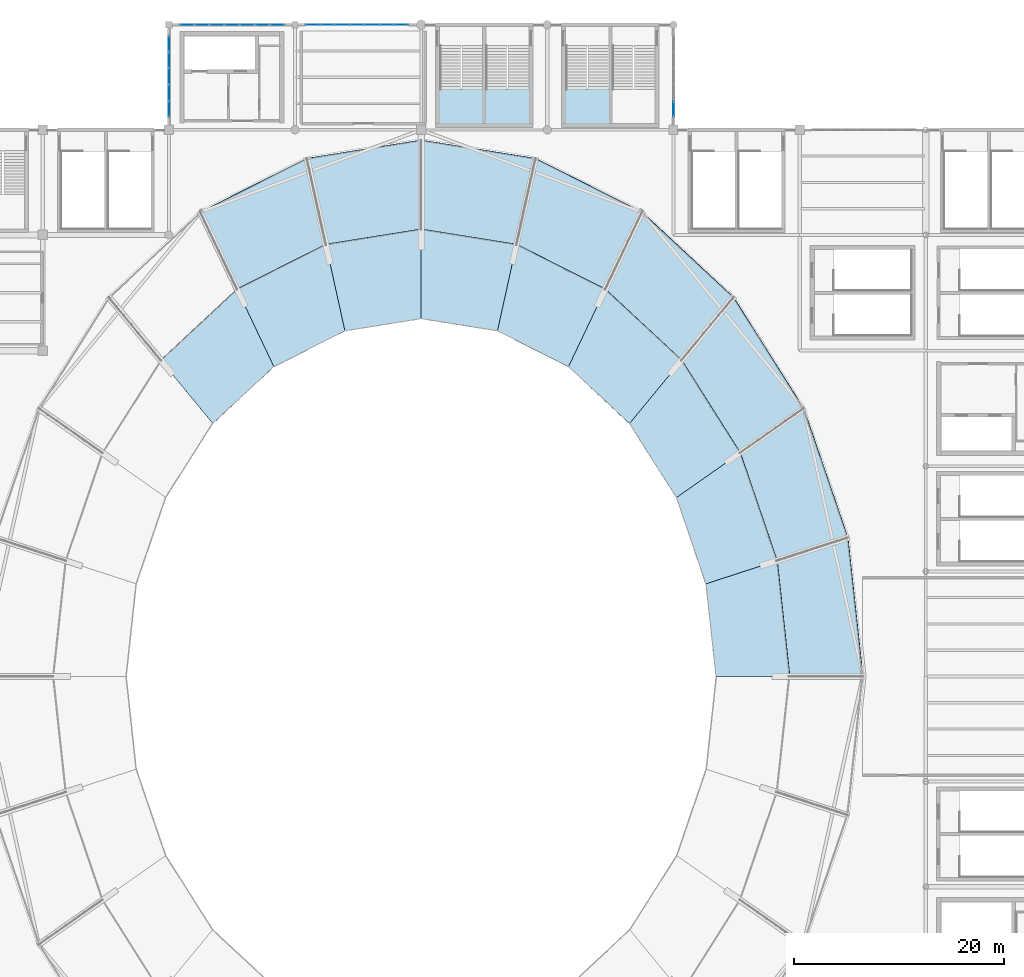
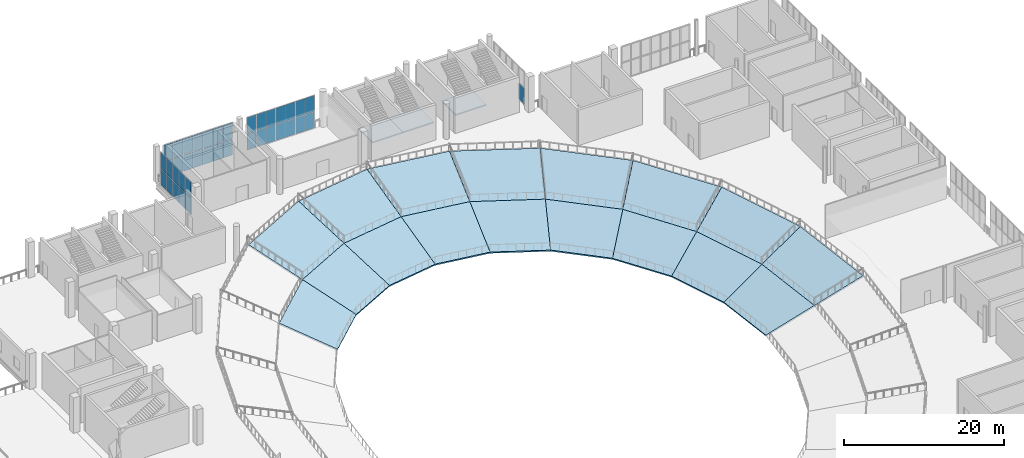
# One storey, part 46 of 74: 39 plates, 20 slabs, 7 elements without a shape of their own.
"""IFC4 building model written with IfcOpenShell, lengths in metres."""

from ifc_helpers import new_model, si_unit, direction, frame, origin, origin_2d, place, context, subcontext, project, spatial, polyline, rectangle, outline, extrude, material, layer, layer_set, type_object, element, aggregate, save


model = new_model("IFC4")

# Units and contexts
model_context = context("Model", 3, precision=1e-05, world=origin(), true_north=direction((0.0, 1.0)))
body_context = subcontext(model_context, "Body", "Model", "MODEL_VIEW")
ifc_project = project(units=[si_unit("LENGTHUNIT", "METRE"), si_unit("AREAUNIT", "SQUARE_METRE"), si_unit("VOLUMEUNIT", "CUBIC_METRE"), si_unit("PLANEANGLEUNIT", "RADIAN"), si_unit("MASSUNIT", "GRAM", prefix="KILO")], contexts=[model_context])

# Site, building, storey
site_placement = place(None, origin())
site = spatial("IfcSite", under=ifc_project, at=site_placement, CompositionType="ELEMENT")
building_placement = place(site_placement, origin())
building = spatial("IfcBuilding", under=site, at=building_placement, Name="Brinegate Civic Arena", CompositionType="ELEMENT")
storey_placement = place(building_placement, frame((0.0, 0.0, 19.199951171875)))
storey = spatial("IfcBuildingStorey", under=building, at=storey_placement, Name="L04", CompositionType="ELEMENT", Elevation=19.199951171875)

# Curtain wall, plates
ifc_material_1 = material(Name="Marine grade aluminium", Category="aluminium")
ifc_layer_1 = layer(ifc_material_1, 0.235107421875, Name="Marine grade aluminium")
ifc_layer_set_1 = layer_set([ifc_layer_1], Name="Marine grade aluminium")
curtain_wall_type = type_object("IfcCurtainWallType", Name="CW-PORTAL-NORTH-01", PredefinedType="USERDEFINED", material=ifc_layer_set_1)
curtain_wall_1_placement = place(storey_placement, origin())
curtain_wall_1 = element("IfcCurtainWall", 1, at=curtain_wall_1_placement, inside=storey, type_object=curtain_wall_type, Name="Curtain Wall CWA-146", ObjectType="PORTAL CURTAIN WALL", PredefinedType="USERDEFINED")
ifc_material_2 = material(Name="Hurricane laminated low-E glass", Category="glass")
ifc_layer_2 = layer(ifc_material_2, 0.028076171875, Name="Hurricane laminated low-E glass")
ifc_layer_set_2 = layer_set([ifc_layer_2], Name="Hurricane laminated low-E glass")
plate_type_1 = type_object("IfcPlateType", Name="CW-PANEL-GLAZED-28", PredefinedType="CURTAIN_PANEL", material=ifc_layer_set_2)
plate_1_placement = place(storey_placement, frame((97.693115234375, 124.0, 0.06494140625), z_axis=(0.0, 0.0, 1.0), x_axis=(1.0, 0.0, 0.0)))
plate_1 = element("IfcPlate", 2, at=plate_1_placement, type_object=plate_type_1, Name="CWA-146 panel 1.1", PredefinedType="CURTAIN_PANEL", context=body_context, shape_type="SweptSolid", body=[
    extrude(rectangle(XDim=1.30810546875, YDim=0.028076171875, at=origin_2d()), origin(), (0.0, 0.0, 1.0), 2.4375),
])
plate_2_placement = place(storey_placement, frame((97.693115234375, 124.0, 2.567626953125), z_axis=(0.0, 0.0, 1.0), x_axis=(1.0, 0.0, 0.0)))
plate_2 = element("IfcPlate", 3, at=plate_2_placement, type_object=plate_type_1, Name="CWA-146 panel 1.2", PredefinedType="CURTAIN_PANEL", context=body_context, shape_type="SweptSolid", body=[
    extrude(rectangle(XDim=1.30810546875, YDim=0.028076171875, at=origin_2d()), origin(), (0.0, 0.0, 1.0), 2.4375),
])
plate_3_placement = place(storey_placement, frame((99.08251953125, 124.0, 0.06494140625), z_axis=(0.0, 0.0, 1.0), x_axis=(1.0, 0.0, 0.0)))
plate_3 = element("IfcPlate", 4, at=plate_3_placement, type_object=plate_type_1, Name="CWA-146 panel 2.1", PredefinedType="CURTAIN_PANEL", context=body_context, shape_type="SweptSolid", body=[
    extrude(rectangle(XDim=1.3408203125, YDim=0.028076171875, at=origin_2d()), origin(), (0.0, 0.0, 1.0), 2.4375),
])
plate_4_placement = place(storey_placement, frame((99.08251953125, 124.0, 2.567626953125), z_axis=(0.0, 0.0, 1.0), x_axis=(1.0, 0.0, 0.0)))
plate_4 = element("IfcPlate", 5, at=plate_4_placement, type_object=plate_type_1, Name="CWA-146 panel 2.2", PredefinedType="CURTAIN_PANEL", context=body_context, shape_type="SweptSolid", body=[
    extrude(rectangle(XDim=1.3408203125, YDim=0.028076171875, at=origin_2d()), origin(), (0.0, 0.0, 1.0), 2.4375),
])
plate_5_placement = place(storey_placement, frame((100.48828125, 124.0, 0.06494140625), z_axis=(0.0, 0.0, 1.0), x_axis=(1.0, 0.0, 0.0)))
plate_5 = element("IfcPlate", 6, at=plate_5_placement, type_object=plate_type_1, Name="CWA-146 panel 3.1", PredefinedType="CURTAIN_PANEL", context=body_context, shape_type="SweptSolid", body=[
    extrude(rectangle(XDim=1.3408203125, YDim=0.028076171875, at=origin_2d()), origin(), (0.0, 0.0, 1.0), 2.4375),
])
plate_6_placement = place(storey_placement, frame((100.48828125, 124.0, 2.567626953125), z_axis=(0.0, 0.0, 1.0), x_axis=(1.0, 0.0, 0.0)))
plate_6 = element("IfcPlate", 7, at=plate_6_placement, type_object=plate_type_1, Name="CWA-146 panel 3.2", PredefinedType="CURTAIN_PANEL", context=body_context, shape_type="SweptSolid", body=[
    extrude(rectangle(XDim=1.3408203125, YDim=0.028076171875, at=origin_2d()), origin(), (0.0, 0.0, 1.0), 2.4375),
])
plate_7_placement = place(storey_placement, frame((101.89404296875, 124.0, 0.06494140625), z_axis=(0.0, 0.0, 1.0), x_axis=(1.0, 0.0, 0.0)))
plate_7 = element("IfcPlate", 8, at=plate_7_placement, type_object=plate_type_1, Name="CWA-146 panel 4.1", PredefinedType="CURTAIN_PANEL", context=body_context, shape_type="SweptSolid", body=[
    extrude(rectangle(XDim=1.3408203125, YDim=0.028076171875, at=origin_2d()), origin(), (0.0, 0.0, 1.0), 2.4375),
])
plate_8_placement = place(storey_placement, frame((101.89404296875, 124.0, 2.567626953125), z_axis=(0.0, 0.0, 1.0), x_axis=(1.0, 0.0, 0.0)))
plate_8 = element("IfcPlate", 9, at=plate_8_placement, type_object=plate_type_1, Name="CWA-146 panel 4.2", PredefinedType="CURTAIN_PANEL", context=body_context, shape_type="SweptSolid", body=[
    extrude(rectangle(XDim=1.3408203125, YDim=0.028076171875, at=origin_2d()), origin(), (0.0, 0.0, 1.0), 2.4375),
])
plate_9_placement = place(storey_placement, frame((103.2998046875, 124.0, 0.06494140625), z_axis=(0.0, 0.0, 1.0), x_axis=(1.0, 0.0, 0.0)))
plate_9 = element("IfcPlate", 10, at=plate_9_placement, type_object=plate_type_1, Name="CWA-146 panel 5.1", PredefinedType="CURTAIN_PANEL", context=body_context, shape_type="SweptSolid", body=[
    extrude(rectangle(XDim=1.3408203125, YDim=0.028076171875, at=origin_2d()), origin(), (0.0, 0.0, 1.0), 2.4375),
])
plate_10_placement = place(storey_placement, frame((103.2998046875, 124.0, 2.567626953125), z_axis=(0.0, 0.0, 1.0), x_axis=(1.0, 0.0, 0.0)))
plate_10 = element("IfcPlate", 11, at=plate_10_placement, type_object=plate_type_1, Name="CWA-146 panel 5.2", PredefinedType="CURTAIN_PANEL", context=body_context, shape_type="SweptSolid", body=[
    extrude(rectangle(XDim=1.3408203125, YDim=0.028076171875, at=origin_2d()), origin(), (0.0, 0.0, 1.0), 2.4375),
])
plate_11_placement = place(storey_placement, frame((104.705322265625, 124.0, 0.06494140625), z_axis=(0.0, 0.0, 1.0), x_axis=(1.0, 0.0, 0.0)))
plate_11 = element("IfcPlate", 12, at=plate_11_placement, type_object=plate_type_1, Name="CWA-146 panel 6.1", PredefinedType="CURTAIN_PANEL", context=body_context, shape_type="SweptSolid", body=[
    extrude(rectangle(XDim=1.3408203125, YDim=0.028076171875, at=origin_2d()), origin(), (0.0, 0.0, 1.0), 2.4375),
])
plate_12_placement = place(storey_placement, frame((104.705322265625, 124.0, 2.567626953125), z_axis=(0.0, 0.0, 1.0), x_axis=(1.0, 0.0, 0.0)))
plate_12 = element("IfcPlate", 13, at=plate_12_placement, type_object=plate_type_1, Name="CWA-146 panel 6.2", PredefinedType="CURTAIN_PANEL", context=body_context, shape_type="SweptSolid", body=[
    extrude(rectangle(XDim=1.3408203125, YDim=0.028076171875, at=origin_2d()), origin(), (0.0, 0.0, 1.0), 2.4375),
])
plate_13_placement = place(storey_placement, frame((106.094970703125, 124.0, 0.06494140625), z_axis=(0.0, 0.0, 1.0), x_axis=(1.0, 0.0, 0.0)))
plate_13 = element("IfcPlate", 14, at=plate_13_placement, type_object=plate_type_1, Name="CWA-146 panel 7.1", PredefinedType="CURTAIN_PANEL", context=body_context, shape_type="SweptSolid", body=[
    extrude(rectangle(XDim=1.30810546875, YDim=0.028076171875, at=origin_2d()), origin(), (0.0, 0.0, 1.0), 2.4375),
])
plate_14_placement = place(storey_placement, frame((106.094970703125, 124.0, 2.567626953125), z_axis=(0.0, 0.0, 1.0), x_axis=(1.0, 0.0, 0.0)))
plate_14 = element("IfcPlate", 15, at=plate_14_placement, type_object=plate_type_1, Name="CWA-146 panel 7.2", PredefinedType="CURTAIN_PANEL", context=body_context, shape_type="SweptSolid", body=[
    extrude(rectangle(XDim=1.30810546875, YDim=0.028076171875, at=origin_2d()), origin(), (0.0, 0.0, 1.0), 2.4375),
])
aggregate(curtain_wall_1, [plate_1, plate_2, plate_3, plate_4, plate_5, plate_6, plate_7, plate_8, plate_9, plate_10, plate_11, plate_12, plate_13, plate_14])

curtain_wall_2_placement = place(storey_placement, origin())
curtain_wall_2 = element("IfcCurtainWall", 16, at=curtain_wall_2_placement, inside=storey, type_object=curtain_wall_type, Name="Curtain Wall CWA-144", ObjectType="PORTAL CURTAIN WALL", PredefinedType="USERDEFINED")
ifc_layer_3 = layer(ifc_material_2, 0.035888671875, Name="Hurricane laminated low-E glass")
ifc_layer_set_3 = layer_set([ifc_layer_3], Name="Hurricane laminated low-E glass")
plate_type_2 = type_object("IfcPlateType", Name="CW-PANEL-GLAZED-36", PredefinedType="CURTAIN_PANEL", material=ifc_layer_set_3)
plate_15_placement = place(storey_placement, frame((85.744140625, 124.0, 0.0751953125), z_axis=(0.0, 0.0, 1.0), x_axis=(1.0, 0.0, 0.0)))
plate_15 = element("IfcPlate", 17, at=plate_15_placement, type_object=plate_type_2, Name="CWA-144 panel 1.1", PredefinedType="CURTAIN_PANEL", context=body_context, shape_type="SweptSolid", body=[
    extrude(rectangle(XDim=1.318359375, YDim=0.035888671875, at=origin_2d()), origin(), (0.0, 0.0, 1.0), 2.422607421875),
])
plate_16_placement = place(storey_placement, frame((85.744140625, 124.0, 2.572265625), z_axis=(0.0, 0.0, 1.0), x_axis=(1.0, 0.0, 0.0)))
plate_16 = element("IfcPlate", 18, at=plate_16_placement, type_object=plate_type_2, Name="CWA-144 panel 1.2", PredefinedType="CURTAIN_PANEL", context=body_context, shape_type="SweptSolid", body=[
    extrude(rectangle(XDim=1.318359375, YDim=0.035888671875, at=origin_2d()), origin(), (0.0, 0.0, 1.0), 2.422607421875),
])
plate_17_placement = place(storey_placement, frame((87.15625, 124.0, 0.0751953125), z_axis=(0.0, 0.0, 1.0), x_axis=(1.0, 0.0, 0.0)))
plate_17 = element("IfcPlate", 19, at=plate_17_placement, type_object=plate_type_2, Name="CWA-144 panel 2.1", PredefinedType="CURTAIN_PANEL", context=body_context, shape_type="SweptSolid", body=[
    extrude(rectangle(XDim=1.35595703125, YDim=0.035888671875, at=origin_2d()), origin(), (0.0, 0.0, 1.0), 2.422607421875),
])
plate_18_placement = place(storey_placement, frame((87.15625, 124.0, 2.572265625), z_axis=(0.0, 0.0, 1.0), x_axis=(1.0, 0.0, 0.0)))
plate_18 = element("IfcPlate", 20, at=plate_18_placement, type_object=plate_type_2, Name="CWA-144 panel 2.2", PredefinedType="CURTAIN_PANEL", context=body_context, shape_type="SweptSolid", body=[
    extrude(rectangle(XDim=1.35595703125, YDim=0.035888671875, at=origin_2d()), origin(), (0.0, 0.0, 1.0), 2.422607421875),
])
plate_19_placement = place(storey_placement, frame((88.587158203125, 124.0, 0.0751953125), z_axis=(0.0, 0.0, 1.0), x_axis=(1.0, 0.0, 0.0)))
plate_19 = element("IfcPlate", 21, at=plate_19_placement, type_object=plate_type_2, Name="CWA-144 panel 3.1", PredefinedType="CURTAIN_PANEL", context=body_context, shape_type="SweptSolid", body=[
    extrude(rectangle(XDim=1.35595703125, YDim=0.035888671875, at=origin_2d()), origin(), (0.0, 0.0, 1.0), 2.422607421875),
])
plate_20_placement = place(storey_placement, frame((88.587158203125, 124.0, 2.572265625), z_axis=(0.0, 0.0, 1.0), x_axis=(1.0, 0.0, 0.0)))
plate_20 = element("IfcPlate", 22, at=plate_20_placement, type_object=plate_type_2, Name="CWA-144 panel 3.2", PredefinedType="CURTAIN_PANEL", context=body_context, shape_type="SweptSolid", body=[
    extrude(rectangle(XDim=1.35595703125, YDim=0.035888671875, at=origin_2d()), origin(), (0.0, 0.0, 1.0), 2.422607421875),
])
plate_21_placement = place(storey_placement, frame((90.01806640625, 124.0, 0.0751953125), z_axis=(0.0, 0.0, 1.0), x_axis=(1.0, 0.0, 0.0)))
plate_21 = element("IfcPlate", 23, at=plate_21_placement, type_object=plate_type_2, Name="CWA-144 panel 4.1", PredefinedType="CURTAIN_PANEL", context=body_context, shape_type="SweptSolid", body=[
    extrude(rectangle(XDim=1.35595703125, YDim=0.035888671875, at=origin_2d()), origin(), (0.0, 0.0, 1.0), 2.422607421875),
])
plate_22_placement = place(storey_placement, frame((90.01806640625, 124.0, 2.572265625), z_axis=(0.0, 0.0, 1.0), x_axis=(1.0, 0.0, 0.0)))
plate_22 = element("IfcPlate", 24, at=plate_22_placement, type_object=plate_type_2, Name="CWA-144 panel 4.2", PredefinedType="CURTAIN_PANEL", context=body_context, shape_type="SweptSolid", body=[
    extrude(rectangle(XDim=1.35595703125, YDim=0.035888671875, at=origin_2d()), origin(), (0.0, 0.0, 1.0), 2.422607421875),
])
plate_23_placement = place(storey_placement, frame((91.448974609375, 124.0, 0.0751953125), z_axis=(0.0, 0.0, 1.0), x_axis=(1.0, 0.0, 0.0)))
plate_23 = element("IfcPlate", 25, at=plate_23_placement, type_object=plate_type_2, Name="CWA-144 panel 5.1", PredefinedType="CURTAIN_PANEL", context=body_context, shape_type="SweptSolid", body=[
    extrude(rectangle(XDim=1.35595703125, YDim=0.035888671875, at=origin_2d()), origin(), (0.0, 0.0, 1.0), 2.422607421875),
])
plate_24_placement = place(storey_placement, frame((91.448974609375, 124.0, 2.572265625), z_axis=(0.0, 0.0, 1.0), x_axis=(1.0, 0.0, 0.0)))
plate_24 = element("IfcPlate", 26, at=plate_24_placement, type_object=plate_type_2, Name="CWA-144 panel 5.2", PredefinedType="CURTAIN_PANEL", context=body_context, shape_type="SweptSolid", body=[
    extrude(rectangle(XDim=1.35595703125, YDim=0.035888671875, at=origin_2d()), origin(), (0.0, 0.0, 1.0), 2.422607421875),
])
plate_25_placement = place(storey_placement, frame((92.879638671875, 124.0, 0.0751953125), z_axis=(0.0, 0.0, 1.0), x_axis=(1.0, 0.0, 0.0)))
plate_25 = element("IfcPlate", 27, at=plate_25_placement, type_object=plate_type_2, Name="CWA-144 panel 6.1", PredefinedType="CURTAIN_PANEL", context=body_context, shape_type="SweptSolid", body=[
    extrude(rectangle(XDim=1.35595703125, YDim=0.035888671875, at=origin_2d()), origin(), (0.0, 0.0, 1.0), 2.422607421875),
])
plate_26_placement = place(storey_placement, frame((92.879638671875, 124.0, 2.572265625), z_axis=(0.0, 0.0, 1.0), x_axis=(1.0, 0.0, 0.0)))
plate_26 = element("IfcPlate", 28, at=plate_26_placement, type_object=plate_type_2, Name="CWA-144 panel 6.2", PredefinedType="CURTAIN_PANEL", context=body_context, shape_type="SweptSolid", body=[
    extrude(rectangle(XDim=1.35595703125, YDim=0.035888671875, at=origin_2d()), origin(), (0.0, 0.0, 1.0), 2.422607421875),
])
plate_27_placement = place(storey_placement, frame((94.291748046875, 124.0, 0.0751953125), z_axis=(0.0, 0.0, 1.0), x_axis=(1.0, 0.0, 0.0)))
plate_27 = element("IfcPlate", 29, at=plate_27_placement, type_object=plate_type_2, Name="CWA-144 panel 7.1", PredefinedType="CURTAIN_PANEL", context=body_context, shape_type="SweptSolid", body=[
    extrude(rectangle(XDim=1.318359375, YDim=0.035888671875, at=origin_2d()), origin(), (0.0, 0.0, 1.0), 2.422607421875),
])
plate_28_placement = place(storey_placement, frame((94.291748046875, 124.0, 2.572265625), z_axis=(0.0, 0.0, 1.0), x_axis=(1.0, 0.0, 0.0)))
plate_28 = element("IfcPlate", 30, at=plate_28_placement, type_object=plate_type_2, Name="CWA-144 panel 7.2", PredefinedType="CURTAIN_PANEL", context=body_context, shape_type="SweptSolid", body=[
    extrude(rectangle(XDim=1.318359375, YDim=0.035888671875, at=origin_2d()), origin(), (0.0, 0.0, 1.0), 2.422607421875),
])
aggregate(curtain_wall_2, [plate_15, plate_16, plate_17, plate_18, plate_19, plate_20, plate_21, plate_22, plate_23, plate_24, plate_25, plate_26, plate_27, plate_28])

curtain_wall_3_placement = place(storey_placement, origin())
curtain_wall_3 = element("IfcCurtainWall", 31, at=curtain_wall_3_placement, inside=storey, type_object=curtain_wall_type, Name="Curtain Wall CWA-148", ObjectType="PORTAL CURTAIN WALL", PredefinedType="USERDEFINED")
plate_29_placement = place(storey_placement, frame((84.0, 115.985107421875, 0.06494140625), z_axis=(0.0, 0.0, 1.0), x_axis=(0.0, 1.0, 0.0)))
plate_29 = element("IfcPlate", 32, at=plate_29_placement, type_object=plate_type_2, Name="CWA-148 panel 1.1", PredefinedType="CURTAIN_PANEL", context=body_context, shape_type="SweptSolid", body=[
    extrude(rectangle(XDim=1.4482421875, YDim=0.035888671875, at=origin_2d()), origin(), (0.0, 0.0, 1.0), 2.4375),
])
plate_30_placement = place(storey_placement, frame((84.0, 115.985107421875, 2.567626953125), z_axis=(0.0, 0.0, 1.0), x_axis=(0.0, 1.0, 0.0)))
plate_30 = element("IfcPlate", 33, at=plate_30_placement, type_object=plate_type_2, Name="CWA-148 panel 1.2", PredefinedType="CURTAIN_PANEL", context=body_context, shape_type="SweptSolid", body=[
    extrude(rectangle(XDim=1.4482421875, YDim=0.035888671875, at=origin_2d()), origin(), (0.0, 0.0, 1.0), 2.4375),
])
plate_31_placement = place(storey_placement, frame((84.0, 117.527099609375, 0.06494140625), z_axis=(0.0, 0.0, 1.0), x_axis=(0.0, 1.0, 0.0)))
plate_31 = element("IfcPlate", 34, at=plate_31_placement, type_object=plate_type_2, Name="CWA-148 panel 2.1", PredefinedType="CURTAIN_PANEL", context=body_context, shape_type="SweptSolid", body=[
    extrude(rectangle(XDim=1.48583984375, YDim=0.035888671875, at=origin_2d()), origin(), (0.0, 0.0, 1.0), 2.4375),
])
plate_32_placement = place(storey_placement, frame((84.0, 117.527099609375, 2.567626953125), z_axis=(0.0, 0.0, 1.0), x_axis=(0.0, 1.0, 0.0)))
plate_32 = element("IfcPlate", 35, at=plate_32_placement, type_object=plate_type_2, Name="CWA-148 panel 2.2", PredefinedType="CURTAIN_PANEL", context=body_context, shape_type="SweptSolid", body=[
    extrude(rectangle(XDim=1.48583984375, YDim=0.035888671875, at=origin_2d()), origin(), (0.0, 0.0, 1.0), 2.4375),
])
plate_33_placement = place(storey_placement, frame((84.0, 119.087890625, 0.06494140625), z_axis=(0.0, 0.0, 1.0), x_axis=(0.0, 1.0, 0.0)))
plate_33 = element("IfcPlate", 36, at=plate_33_placement, type_object=plate_type_2, Name="CWA-148 panel 3.1", PredefinedType="CURTAIN_PANEL", context=body_context, shape_type="SweptSolid", body=[
    extrude(rectangle(XDim=1.48583984375, YDim=0.035888671875, at=origin_2d()), origin(), (0.0, 0.0, 1.0), 2.4375),
])
plate_34_placement = place(storey_placement, frame((84.0, 119.087890625, 2.567626953125), z_axis=(0.0, 0.0, 1.0), x_axis=(0.0, 1.0, 0.0)))
plate_34 = element("IfcPlate", 37, at=plate_34_placement, type_object=plate_type_2, Name="CWA-148 panel 3.2", PredefinedType="CURTAIN_PANEL", context=body_context, shape_type="SweptSolid", body=[
    extrude(rectangle(XDim=1.48583984375, YDim=0.035888671875, at=origin_2d()), origin(), (0.0, 0.0, 1.0), 2.4375),
])
plate_35_placement = place(storey_placement, frame((84.0, 120.648681640625, 0.06494140625), z_axis=(0.0, 0.0, 1.0), x_axis=(0.0, 1.0, 0.0)))
plate_35 = element("IfcPlate", 38, at=plate_35_placement, type_object=plate_type_2, Name="CWA-148 panel 4.1", PredefinedType="CURTAIN_PANEL", context=body_context, shape_type="SweptSolid", body=[
    extrude(rectangle(XDim=1.48583984375, YDim=0.035888671875, at=origin_2d()), origin(), (0.0, 0.0, 1.0), 2.4375),
])
plate_36_placement = place(storey_placement, frame((84.0, 120.648681640625, 2.567626953125), z_axis=(0.0, 0.0, 1.0), x_axis=(0.0, 1.0, 0.0)))
plate_36 = element("IfcPlate", 39, at=plate_36_placement, type_object=plate_type_2, Name="CWA-148 panel 4.2", PredefinedType="CURTAIN_PANEL", context=body_context, shape_type="SweptSolid", body=[
    extrude(rectangle(XDim=1.48583984375, YDim=0.035888671875, at=origin_2d()), origin(), (0.0, 0.0, 1.0), 2.4375),
])
plate_37_placement = place(storey_placement, frame((84.0, 122.19091796875, 0.06494140625), z_axis=(0.0, 0.0, 1.0), x_axis=(0.0, 1.0, 0.0)))
plate_37 = element("IfcPlate", 40, at=plate_37_placement, type_object=plate_type_2, Name="CWA-148 panel 5.1", PredefinedType="CURTAIN_PANEL", context=body_context, shape_type="SweptSolid", body=[
    extrude(rectangle(XDim=1.4482421875, YDim=0.035888671875, at=origin_2d()), origin(), (0.0, 0.0, 1.0), 2.4375),
])
plate_38_placement = place(storey_placement, frame((84.0, 122.19091796875, 2.567626953125), z_axis=(0.0, 0.0, 1.0), x_axis=(0.0, 1.0, 0.0)))
plate_38 = element("IfcPlate", 41, at=plate_38_placement, type_object=plate_type_2, Name="CWA-148 panel 5.2", PredefinedType="CURTAIN_PANEL", context=body_context, shape_type="SweptSolid", body=[
    extrude(rectangle(XDim=1.4482421875, YDim=0.035888671875, at=origin_2d()), origin(), (0.0, 0.0, 1.0), 2.4375),
])
aggregate(curtain_wall_3, [plate_29, plate_30, plate_31, plate_32, plate_33, plate_34, plate_35, plate_36, plate_37, plate_38])

# Curtain wall, plate
curtain_wall_4_placement = place(storey_placement, origin())
curtain_wall_4 = element("IfcCurtainWall", 42, at=curtain_wall_4_placement, inside=storey, type_object=curtain_wall_type, Name="Curtain Wall CWA-149", ObjectType="PORTAL CURTAIN WALL", PredefinedType="USERDEFINED")
ifc_layer_4 = layer(ifc_material_2, 0.0419921875, Name="Hurricane laminated low-E glass")
ifc_layer_set_4 = layer_set([ifc_layer_4], Name="Hurricane laminated low-E glass")
plate_type_3 = type_object("IfcPlateType", Name="CW-PANEL-SPANDREL-42", PredefinedType="CURTAIN_PANEL", material=ifc_layer_set_4)
plate_39_placement = place(storey_placement, frame((132.0, 115.98291015625, 0.0751953125), z_axis=(0.0, 0.0, 1.0), x_axis=(0.0, 1.0, 0.0)))
plate_39 = element("IfcPlate", 43, at=plate_39_placement, type_object=plate_type_3, Name="CWA-149 panel 1.1", PredefinedType="CURTAIN_PANEL", context=body_context, shape_type="SweptSolid", body=[
    extrude(rectangle(XDim=1.433837890625, YDim=0.0419921875, at=origin_2d()), origin(), (0.0, 0.0, 1.0), 2.422607421875),
])
aggregate(curtain_wall_4, [plate_39])

# Stair, slab
ifc_material_3 = material(Name="Concrete C40/50", Category="concrete")
stair_type_1 = type_object("IfcStairType", Name="STAIR-EXIT-3850", PredefinedType="HALF_TURN_STAIR", material=ifc_material_3)
stair_1_placement = place(storey_placement, origin())
stair_1 = element("IfcStair", 44, at=stair_1_placement, inside=storey, type_object=stair_type_1, Name="Protected Exit Stair ST-03A (L04)", PredefinedType="HALF_TURN_STAIR")
ifc_layer_5 = layer(ifc_material_3, 0.179931640625, Name="Concrete C40/50")
ifc_layer_set_5 = layer_set([ifc_layer_5], Name="Concrete C40/50")
slab_type_1 = type_object("IfcSlabType", Name="SLAB-LANDING-180", PredefinedType="LANDING", material=ifc_layer_set_5)
slab_1_placement = place(storey_placement, frame((0.0, 0.0, 2.52001953125)))
slab_1 = element("IfcSlab", 45, at=slab_1_placement, type_object=slab_type_1, Name="ST-03A landing 1", PredefinedType="LANDING", context=body_context, shape_type="SweptSolid", body=[
    extrude(outline(polyline([(121.594970703125, 114.39990234375), (126.0048828125, 114.39990234375), (126.0048828125, 117.909912109375), (121.594970703125, 117.909912109375), (121.594970703125, 114.39990234375)])), origin(), (0.0, 0.0, 1.0), 0.179931640625),
])
aggregate(stair_1, [slab_1])

stair_2_placement = place(storey_placement, origin())
stair_2 = element("IfcStair", 46, at=stair_2_placement, inside=storey, type_object=stair_type_1, Name="Protected Exit Stair ST-15A (L04)", PredefinedType="HALF_TURN_STAIR")
slab_2_placement = place(storey_placement, frame((0.0, 0.0, 2.52001953125)))
slab_2 = element("IfcSlab", 47, at=slab_2_placement, type_object=slab_type_1, Name="ST-15A landing 1", PredefinedType="LANDING", context=body_context, shape_type="SweptSolid", body=[
    extrude(outline(polyline([(109.594970703125, 114.39990234375), (114.0048828125, 114.39990234375), (114.0048828125, 117.909912109375), (109.594970703125, 117.909912109375), (109.594970703125, 114.39990234375)])), origin(), (0.0, 0.0, 1.0), 0.179931640625),
])
aggregate(stair_2, [slab_2])

stair_type_2 = type_object("IfcStairType", Name="STAIR-EXIT-3700", PredefinedType="HALF_TURN_STAIR", material=ifc_material_3)
stair_3_placement = place(storey_placement, origin())
stair_3 = element("IfcStair", 48, at=stair_3_placement, inside=storey, type_object=stair_type_2, Name="Protected Exit Stair ST-15B (L04)", PredefinedType="HALF_TURN_STAIR")
slab_3_placement = place(storey_placement, frame((0.0, 0.0, 2.52001953125)))
slab_3 = element("IfcSlab", 49, at=slab_3_placement, type_object=slab_type_1, Name="ST-15B landing 1", PredefinedType="LANDING", context=body_context, shape_type="SweptSolid", body=[
    extrude(outline(polyline([(113.9951171875, 114.39990234375), (118.405029296875, 114.39990234375), (118.405029296875, 117.909912109375), (113.9951171875, 117.909912109375), (113.9951171875, 114.39990234375)])), origin(), (0.0, 0.0, 1.0), 0.179931640625),
])
aggregate(stair_3, [slab_3])

# Slabs
ifc_material_4 = material(Name="Precast concrete C45/55", Category="concrete")
ifc_layer_6 = layer(ifc_material_4, 0.239990234375, Name="Precast concrete C45/55")
ifc_layer_set_6 = layer_set([ifc_layer_6], Name="Precast concrete C45/55")
slab_type_2 = type_object("IfcSlabType", Name="SLAB-TIER-UPR-240", PredefinedType="USERDEFINED", material=ifc_layer_set_6)
slab_4_placement = place(storey_placement, frame((136.0, 62.0, -4.14990234375), z_axis=(-0.284072083062, -0.030806204246, 0.958307899062), x_axis=(-0.107790365794, 0.994173645294, 6.76466e-06)))
element("IfcSlab", 50, at=slab_4_placement, inside=storey, type_object=slab_type_2, Name="Stand Upper Tier Bay A01", ObjectType="SEATING TIER", PredefinedType="USERDEFINED", context=body_context, shape_type="SweptSolid", body=[
    extrude(outline(polyline([(0.0, 0.0), (8.851619578644632, 3.3306690738754696e-16), (10.309997901560134, -7.261492705824252), (-0.7545185242164245, -7.261964208007057), (0.0, 0.0)])), origin(), (0.0, 0.0, -1.0), 0.239990234375),
])
slab_5_placement = place(storey_placement, frame((143.0, 62.0, -2.074951171875), z_axis=(-0.284049949651, -0.03079980286, 0.95831466557), x_axis=(-0.107829835368, 0.994169365108, -9.223331e-06)))
element("IfcSlab", 51, at=slab_5_placement, inside=storey, type_object=slab_type_2, Name="Stand Upper Tier Bay B01", ObjectType="SEATING TIER", PredefinedType="USERDEFINED", context=body_context, shape_type="SweptSolid", body=[
    extrude(outline(polyline([(0.0, 0.0), (11.064516435486796, 0.0), (12.522453686431236, -7.262717839676469), (-0.7548279855393285, -7.261932047779832), (0.0, 0.0)])), origin(), (0.0, 0.0, -1.0), 0.239990234375),
])
slab_6_placement = place(storey_placement, frame((135.0458984375, 70.800048828125, -4.14990234375), z_axis=(-0.265175122543, -0.090443275642, 0.959949044624), x_axis=(-0.322821571366, 0.94645984228, -3.45992e-06)))
element("IfcSlab", 52, at=slab_6_placement, inside=storey, type_object=slab_type_2, Name="Stand Upper Tier Bay A02", ObjectType="SEATING TIER", PredefinedType="USERDEFINED", context=body_context, shape_type="SweptSolid", body=[
    extrude(outline(polyline([(0.0, 0.0), (8.663816075251372, 0.0), (10.729315077092284, -7.4060530862495755), (-0.10043397043609203, -7.405812357196214), (0.0, 0.0)])), origin(), (0.0, 0.0, -1.0), 0.239990234375),
])
slab_7_placement = place(storey_placement, frame((141.806884765625, 73.0, -2.074951171875), z_axis=(-0.265151569583, -0.090444057287, 0.95995547691), x_axis=(-0.322803587554, 0.946465976011, 1.0776591e-05)))
element("IfcSlab", 53, at=slab_7_placement, inside=storey, type_object=slab_type_2, Name="Stand Upper Tier Bay B02", ObjectType="SEATING TIER", PredefinedType="USERDEFINED", context=body_context, shape_type="SweptSolid", body=[
    extrude(outline(polyline([(0.0, 0.0), (10.829749049566503, -4.440892098500626e-16), (12.895412677908599, -7.406007170108031), (-0.1006633955025823, -7.406923674766176), (0.0, 0.0)])), origin(), (0.0, 0.0, -1.0), 0.239990234375),
])
slab_8_placement = place(storey_placement, frame((132.2490234375, 79.0, -4.14990234375), z_axis=(-0.228380275315, -0.144315557119, 0.962816425816), x_axis=(-0.534196640845, 0.845360248005, -1.39253e-06)))
element("IfcSlab", 54, at=slab_8_placement, inside=storey, type_object=slab_type_2, Name="Stand Upper Tier Bay A03", ObjectType="SEATING TIER", PredefinedType="USERDEFINED", context=body_context, shape_type="SweptSolid", body=[
    extrude(outline(polyline([(0.0, 0.0), (8.330169230017933, -4.440892098500626e-16), (10.766542398204125, -7.680608188009412), (0.35447186766840005, -7.680511580540342), (0.0, 0.0)])), origin(), (0.0, 0.0, -1.0), 0.239990234375),
])
slab_9_placement = place(storey_placement, frame((138.31103515625, 83.25, -2.074951171875), z_axis=(-0.228386886849, -0.144328764162, 0.962812877849), x_axis=(-0.534190832175, 0.845363918528, 8.463207e-06)))
element("IfcSlab", 55, at=slab_9_placement, inside=storey, type_object=slab_type_2, Name="Stand Upper Tier Bay B03", ObjectType="SEATING TIER", PredefinedType="USERDEFINED", context=body_context, shape_type="SweptSolid", body=[
    extrude(outline(polyline([(0.0, 0.0), (10.41207053058863, 0.0), (12.849036632193938, -7.679790729184092), (0.3545431297908013, -7.680508290775388), (0.0, 0.0)])), origin(), (0.0, 0.0, -1.0), 0.239990234375),
])
slab_10_placement = place(storey_placement, frame((127.799072265625, 86.0419921875, -4.14990234375), z_axis=(-0.175846276944, -0.188735902626, 0.966155704814), x_axis=(-0.731646220774, 0.681684536737, 1.1203e-06)))
element("IfcSlab", 56, at=slab_10_placement, inside=storey, type_object=slab_type_2, Name="Stand Upper Tier Bay A04", ObjectType="SEATING TIER", PredefinedType="USERDEFINED", context=body_context, shape_type="SweptSolid", body=[
    extrude(outline(polyline([(0.0, 0.0), (7.9260627843173195, 4.440892098500626e-16), (10.383074035058762, -8.043660937946633), (0.47531997951568544, -8.043738388927673), (0.0, 0.0)])), origin(), (0.0, 0.0, -1.0), 0.239990234375),
])
slab_11_placement = place(storey_placement, frame((132.7490234375, 92.052001953125, -2.074951171875), z_axis=(-0.175858495648, -0.188736832132, 0.966153299278), x_axis=(-0.731649908574, 0.681680578574, -8.921293e-06)))
element("IfcSlab", 57, at=slab_11_placement, inside=storey, type_object=slab_type_2, Name="Stand Upper Tier Bay B04", ObjectType="SEATING TIER", PredefinedType="USERDEFINED", context=body_context, shape_type="SweptSolid", body=[
    extrude(outline(polyline([(0.0, 0.0), (9.907754055427679, 1.7763568394002505e-15), (12.364868853571922, -8.04385272435158), (0.47597160253596965, -8.043098933745705), (0.0, 0.0)])), origin(), (0.0, 0.0, -1.0), 0.239990234375),
])
slab_12_placement = place(storey_placement, frame((122.0, 91.445068359375, -4.14990234375), z_axis=(-0.110874440298, -0.220438308015, 0.969078846559), x_axis=(-0.893389478053, 0.449283029135, -1.5341976e-05)))
element("IfcSlab", 58, at=slab_12_placement, inside=storey, type_object=slab_type_2, Name="Stand Upper Tier Bay A05", ObjectType="SEATING TIER", PredefinedType="USERDEFINED", context=body_context, shape_type="SweptSolid", body=[
    extrude(outline(polyline([(0.0, 0.0), (7.558759740775205, 0.0), (9.628930575322181, -8.409678719483283), (0.18020541494080913, -8.40862126422096), (0.0, 0.0)])), origin(), (0.0, 0.0, -1.0), 0.239990234375),
])
slab_13_placement = place(storey_placement, frame((125.5, 98.805908203125, -2.074951171875), z_axis=(-0.110886062245, -0.220450568745, 0.969074727738), x_axis=(-0.893340205836, 0.449380992678, 7.551274e-06)))
element("IfcSlab", 59, at=slab_13_placement, inside=storey, type_object=slab_type_2, Name="Stand Upper Tier Bay B05", ObjectType="SEATING TIER", PredefinedType="USERDEFINED", context=body_context, shape_type="SweptSolid", body=[
    extrude(outline(polyline([(0.0, 0.0), (9.448725220024908, 0.0), (11.520270765234828, -8.408176279480276), (0.18125617618811007, -8.408812400325049), (0.0, 0.0)])), origin(), (0.0, 0.0, -1.0), 0.239990234375),
])
slab_14_placement = place(storey_placement, frame((115.2470703125, 94.841064453125, -4.14990234375), z_axis=(-0.037885345821, -0.236969680404, 0.970778075124), x_axis=(-0.987453677719, 0.157908942944, 9.896886e-06)))
element("IfcSlab", 60, at=slab_14_placement, inside=storey, type_object=slab_type_2, Name="Stand Upper Tier Bay A06", ObjectType="SEATING TIER", PredefinedType="USERDEFINED", context=body_context, shape_type="SweptSolid", body=[
    extrude(outline(polyline([(0.0, 0.0), (7.33915251991203, 2.220446049250313e-16), (8.681399070492477, -8.646027790697998), (-0.4926766389885338, -8.646708806664867), (0.0, 0.0)])), origin(), (0.0, 0.0, -1.0), 0.239990234375),
])
slab_15_placement = place(storey_placement, frame((117.05908203125, 103.052001953125, -2.074951171875), z_axis=(-0.037886202688, -0.236984729919, 0.970774367931), x_axis=(-0.987465112551, 0.157837420955, -6.432829e-06)))
element("IfcSlab", 61, at=slab_15_placement, inside=storey, type_object=slab_type_2, Name="Stand Upper Tier Bay B06", ObjectType="SEATING TIER", PredefinedType="USERDEFINED", context=body_context, shape_type="SweptSolid", body=[
    extrude(outline(polyline([(0.0, 0.0), (9.17407573486151, 0.0), (10.515680465173775, -8.646127405351688), (-0.49250832168873876, -8.64558643745388), (0.0, 0.0)])), origin(), (0.0, 0.0, -1.0), 0.239990234375),
])
slab_16_placement = place(storey_placement, frame((108.0, 96.0, -4.14990234375), z_axis=(0.037885345821, -0.236969680404, 0.970778075124), x_axis=(-0.987453677719, -0.157908942944, -9.896886e-06)))
element("IfcSlab", 62, at=slab_16_placement, inside=storey, type_object=slab_type_2, Name="Stand Upper Tier Bay A07", ObjectType="SEATING TIER", PredefinedType="USERDEFINED", context=body_context, shape_type="SweptSolid", body=[
    extrude(outline(polyline([(0.0, 0.0), (7.33915251991203, -2.220446049250313e-16), (7.831829158900564, -8.646708806664867), (-1.342246550580446, -8.646027790698), (0.0, 0.0)])), origin(), (0.0, 0.0, -1.0), 0.239990234375),
])
slab_17_placement = place(storey_placement, frame((108.0, 104.5, -2.074951171875), z_axis=(0.037886202688, -0.236984729919, 0.970774367931), x_axis=(-0.987465112551, -0.157837420955, 6.432829e-06)))
element("IfcSlab", 63, at=slab_17_placement, inside=storey, type_object=slab_type_2, Name="Stand Upper Tier Bay B07", ObjectType="SEATING TIER", PredefinedType="USERDEFINED", context=body_context, shape_type="SweptSolid", body=[
    extrude(outline(polyline([(0.0, 0.0), (9.17407573486151, 0.0), (9.66658405655025, -8.64558643745388), (-1.3416047303122638, -8.64612740535169), (0.0, 0.0)])), origin(), (0.0, 0.0, -1.0), 0.239990234375),
])
slab_18_placement = place(storey_placement, frame((100.7529296875, 94.841064453125, -4.14990234375), z_axis=(0.110874440298, -0.220438308015, 0.969078846559), x_axis=(-0.893389478053, -0.449283029135, 1.5341976e-05)))
element("IfcSlab", 64, at=slab_18_placement, inside=storey, type_object=slab_type_2, Name="Stand Upper Tier Bay A08", ObjectType="SEATING TIER", PredefinedType="USERDEFINED", context=body_context, shape_type="SweptSolid", body=[
    extrude(outline(polyline([(0.0, 0.0), (7.558759740775205, 0.0), (7.378554325834394, -8.40862126422096), (-2.070170834546978, -8.409678719483283), (0.0, 0.0)])), origin(), (0.0, 0.0, -1.0), 0.239990234375),
])
slab_19_placement = place(storey_placement, frame((98.94091796875, 103.052001953125, -2.074951171875), z_axis=(0.110886062245, -0.220450568745, 0.969074727738), x_axis=(-0.893340205836, -0.449380992678, -7.551274e-06)))
element("IfcSlab", 65, at=slab_19_placement, inside=storey, type_object=slab_type_2, Name="Stand Upper Tier Bay B08", ObjectType="SEATING TIER", PredefinedType="USERDEFINED", context=body_context, shape_type="SweptSolid", body=[
    extrude(outline(polyline([(0.0, 0.0), (9.448725220024908, 0.0), (9.267469043836797, -8.408812400325049), (-2.071545545209919, -8.408176279480276), (0.0, 0.0)])), origin(), (0.0, 0.0, -1.0), 0.239990234375),
])
slab_20_placement = place(storey_placement, frame((94.0, 91.445068359375, -4.14990234375), z_axis=(0.175846276944, -0.188735902626, 0.966155704814), x_axis=(-0.731646220774, -0.681684536737, -1.1203e-06)))
element("IfcSlab", 66, at=slab_20_placement, inside=storey, type_object=slab_type_2, Name="Stand Upper Tier Bay A09", ObjectType="SEATING TIER", PredefinedType="USERDEFINED", context=body_context, shape_type="SweptSolid", body=[
    extrude(outline(polyline([(0.0, 0.0), (7.9260627843173195, -4.440892098500626e-16), (7.450742804801635, -8.043738388927673), (-2.457011250741442, -8.043660937946632), (0.0, 0.0)])), origin(), (0.0, 0.0, -1.0), 0.239990234375),
])

save(model, "model.ifc")
